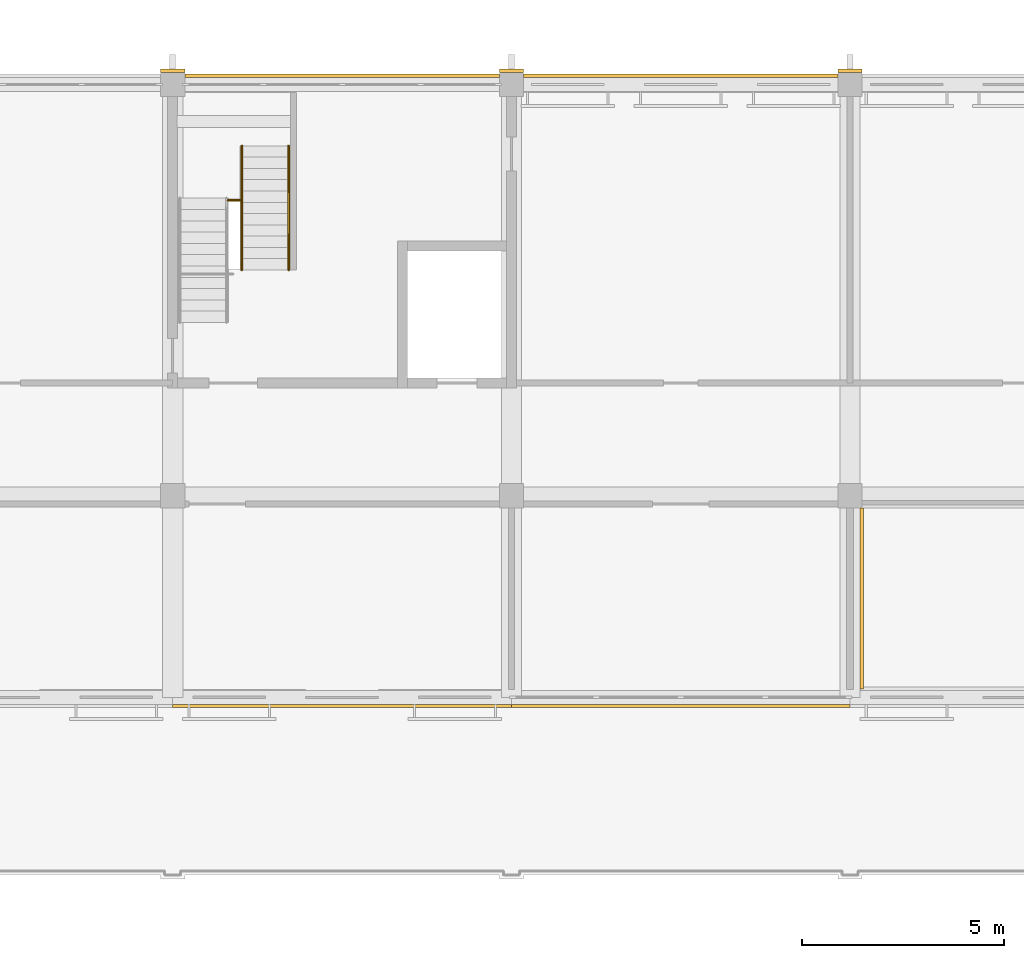
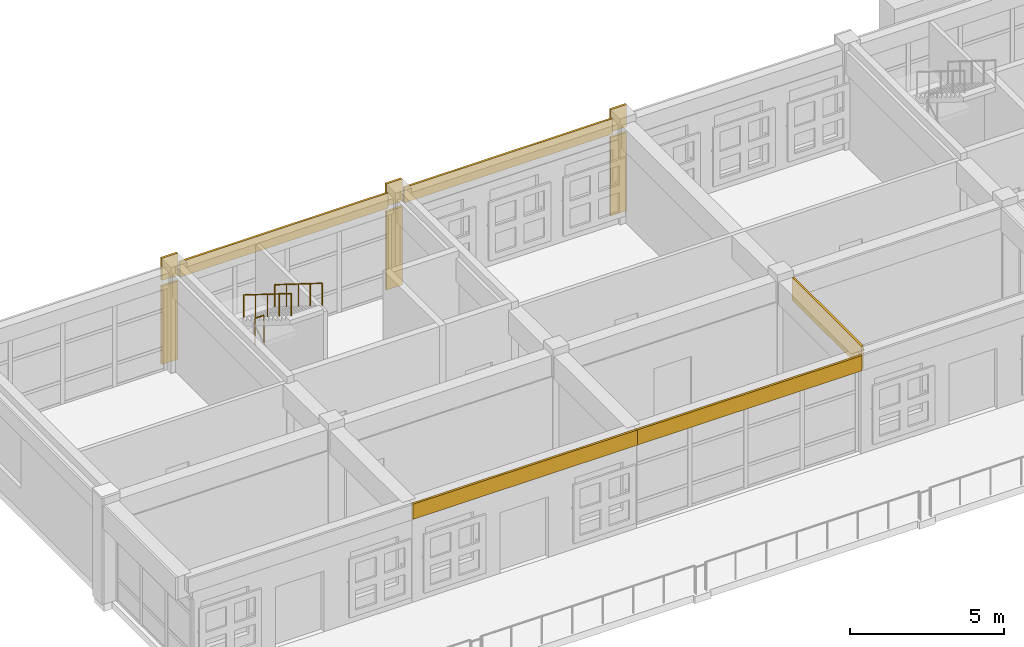
# One storey, part 67 of 71: 11 coverings, 3 railings.
"""IFC4 building model written with IfcOpenShell, lengths in metres."""

import ifcopenshell
import ifcopenshell.guid

model = None  # the IFC model being written
_history = None  # IfcOwnerHistory: only IFC2X3 demands one
_inside = {}  # id of a spatial element -> (the spatial element, [elements in it])
_under = {}  # id of a project, library or spatial element -> (it, [spatial elements below it])
_declared = {}  # id of a project -> (the project, [libraries it declares])
_typed = {}  # id of a type object -> (the type object, [elements of that type])
_made_of = {}  # id of a material, layer set ... -> (it, [elements and type objects made of it])


def new_model(schema):
    """Start an empty IFC model of exactly this schema.

    Asked for "IFC4X3", IfcOpenShell would pick the latest addendum, in which some entities
    have other attributes; the version numbers below select the first issue.
    IFC2X3 requires an IfcOwnerHistory on every rooted entity: one is made here for all.
    """
    global model, _history
    if schema == "IFC4X3":
        model = ifcopenshell.file(schema_version=(4, 3, 0, 0))
    else:
        model = ifcopenshell.file(schema=schema)
    _inside.clear()
    _under.clear()
    _declared.clear()
    _typed.clear()
    _made_of.clear()
    _history = None
    if model.schema == "IFC2X3":
        org = make("IfcOrganization", Name="unknown")
        user = make(
            "IfcPersonAndOrganization",
            ThePerson=make("IfcPerson", FamilyName="unknown"),
            TheOrganization=org,
        )
        app = make(
            "IfcApplication",
            ApplicationDeveloper=org,
            Version="unknown",
            ApplicationFullName="unknown",
            ApplicationIdentifier="unknown",
        )
        _history = make(
            "IfcOwnerHistory",
            OwningUser=user,
            OwningApplication=app,
            ChangeAction="ADDED",
            CreationDate=0,
        )
    return model


def make(cls, **values):
    """One entity of the class cls with the attributes given. An attribute that is None is left unset."""
    return model.create_entity(
        cls, **{name: value for name, value in values.items() if value is not None}
    )


def rooted(cls, **values):
    """An entity with a GlobalId (a new one), such as an element, a storey or a relation."""
    return make(cls, GlobalId=ifcopenshell.guid.new(), OwnerHistory=_history, **values)


def si_unit(unit_type, name, prefix=None):
    """IfcSIUnit, for example si_unit("LENGTHUNIT", "METRE", prefix="MILLI")."""
    return make("IfcSIUnit", UnitType=unit_type, Prefix=prefix, Name=name)


def assignment(units):
    """IfcUnitAssignment: the units of a project."""
    return None if units is None else make("IfcUnitAssignment", Units=units)


def point(xyz):
    """IfcCartesianPoint."""
    return None if xyz is None else make("IfcCartesianPoint", Coordinates=xyz)


def direction(xyz):
    """IfcDirection."""
    return None if xyz is None else make("IfcDirection", DirectionRatios=xyz)


def frame(location, z_axis=None, x_axis=None):
    """IfcAxis2Placement3D, a coordinate frame: its origin and axes. An axis left out is left unset."""
    return make(
        "IfcAxis2Placement3D",
        Location=point(location),
        Axis=direction(z_axis),
        RefDirection=direction(x_axis),
    )


def frame_2d(location, x_axis=None):
    """IfcAxis2Placement2D, a coordinate frame in the plane: its origin and x axis."""
    return make(
        "IfcAxis2Placement2D", Location=point(location), RefDirection=direction(x_axis)
    )


def origin():
    """The frame at (0, 0, 0) with its axes left unset."""
    return frame((0.0, 0.0, 0.0))


def origin_2d():
    """The frame at (0, 0) in the plane with its x axis left unset."""
    return frame_2d((0.0, 0.0))


def place(relative_to, where):
    """IfcLocalPlacement: puts the frame where relative to a parent placement (None: the world)."""
    return make(
        "IfcLocalPlacement", PlacementRelTo=relative_to, RelativePlacement=where
    )


def context(
    kind, dimensions, precision=None, world=None, true_north=None, identifier=None
):
    """IfcGeometricRepresentationContext, for example the 3D "Model" context."""
    return make(
        "IfcGeometricRepresentationContext",
        ContextIdentifier=identifier,
        ContextType=kind,
        CoordinateSpaceDimension=dimensions,
        Precision=precision,
        WorldCoordinateSystem=world,
        TrueNorth=true_north,
    )


def subcontext(parent, identifier, kind, view, scale=None):
    """IfcGeometricRepresentationSubContext, for example "Body" below "Model"."""
    return make(
        "IfcGeometricRepresentationSubContext",
        ContextIdentifier=identifier,
        ContextType=kind,
        ParentContext=parent,
        TargetScale=scale,
        TargetView=view,
    )


def project(units=None, contexts=None):
    """IfcProject with its units and contexts."""
    return rooted(
        "IfcProject",
        Name="project",
        RepresentationContexts=contexts,
        UnitsInContext=assignment(units),
    )


def spatial(cls, under=None, at=None, **own):
    """A site, building, storey or space (cls), placed at a placement, below another one or the project."""
    s = rooted(cls, ObjectPlacement=at, **own)
    if under is not None:
        _under.setdefault(under.id(), (under, []))[1].append(s)
    return s


def polyline(points):
    """IfcPolyline through the points."""
    return make("IfcPolyline", Points=[point(p) for p in points])


def profile(cls, at=None, kind="AREA", **sizes):
    """A parametric profile (cls). Its sizes go by their IFC names, for example OverallWidth=200.0."""
    return make(cls, ProfileType=kind, Position=at, **sizes)


def circle(**sizes):
    """IfcCircleProfileDef."""
    return profile("IfcCircleProfileDef", **sizes)


def outline(outer, holes=None, kind="AREA"):
    """IfcArbitraryClosedProfileDef: a profile drawn as a closed curve; with holes, ...WithVoids."""
    if holes is None:
        return make("IfcArbitraryClosedProfileDef", ProfileType=kind, OuterCurve=outer)
    return make(
        "IfcArbitraryProfileDefWithVoids",
        ProfileType=kind,
        OuterCurve=outer,
        InnerCurves=holes,
    )


def extrude(swept, where, along, depth):
    """IfcExtrudedAreaSolid: the profile swept, set in the frame where, extruded along a direction by depth."""
    return make(
        "IfcExtrudedAreaSolid",
        SweptArea=swept,
        Position=where,
        ExtrudedDirection=direction(along),
        Depth=depth,
    )


def shape(context_of_items, identifier, shape_type, items):
    """IfcShapeRepresentation: the items that make up one representation, for example the "Body"."""
    return make(
        "IfcShapeRepresentation",
        ContextOfItems=context_of_items,
        RepresentationIdentifier=identifier,
        RepresentationType=shape_type,
        Items=items,
    )


def material(Name=None, Category=None):
    """IfcMaterial."""
    return make("IfcMaterial", Name=Name, Category=Category)


def layer(
    of_material, thickness, ventilated=None, Name=None, Category=None, Priority=None
):
    """IfcMaterialLayer: one layer of a wall or slab, of a material (None: an air gap)."""
    return make(
        "IfcMaterialLayer",
        Material=of_material,
        LayerThickness=thickness,
        IsVentilated=ventilated,
        Name=Name,
        Category=Category,
        Priority=Priority,
    )


def layer_set(layers, Name=None):
    """IfcMaterialLayerSet."""
    return make("IfcMaterialLayerSet", MaterialLayers=layers, LayerSetName=Name)


def made_of(thing, what):
    """Note that an element or type object is made of a material, layer set ...; save() writes the relation."""
    if what is not None:
        _made_of.setdefault(what.id(), (what, []))[1].append(thing)
    return thing


def type_object(cls, material=None, **own):
    """A type object (cls), such as IfcWallType, which elements share."""
    return made_of(rooted(cls, **own), material)


def element(
    cls,
    number,
    at=None,
    inside=None,
    cuts=None,
    type_object=None,
    material=None,
    context=None,
    identifier="Body",
    shape_type=None,
    held_by="IfcProductDefinitionShape",
    body=None,
    shapes=None,
    **own,
):
    """One element of the class cls, such as IfcWall. Its Tag is "e" and its number.

    at: its placement. inside: the storey or other place that contains it. cuts: it is an
    opening in that element (IfcRelVoidsElement). A single representation is given by context,
    identifier, shape_type and body (its items); several are given by shapes. held_by: the class
    of the entity that holds the representations. save() writes the other relations.
    """
    e = rooted(cls, Tag="e%d" % number, ObjectPlacement=at, **own)
    if body is not None:
        shapes = [shape(context, identifier, shape_type, body)]
    if shapes is not None:
        e.Representation = make(held_by, Representations=shapes)
    if inside is not None:
        _inside.setdefault(inside.id(), (inside, []))[1].append(e)
    if cuts is not None:
        rooted(
            "IfcRelVoidsElement", RelatingBuildingElement=cuts, RelatedOpeningElement=e
        )
    if type_object is not None:
        _typed.setdefault(type_object.id(), (type_object, []))[1].append(e)
    return made_of(e, material)


def aggregate(whole, parts):
    """IfcRelAggregates: a whole, such as a stair, and the parts it consists of."""
    return rooted("IfcRelAggregates", RelatingObject=whole, RelatedObjects=parts)


def save(model, path):
    """Write the relations noted so far, then the file.

    IfcRelAggregates (storeys below a building ...), IfcRelContainedInSpatialStructure (elements
    in a storey), IfcRelDefinesByType, IfcRelAssociatesMaterial and IfcRelDeclares: one each for
    every whole, place, type object, material and project.
    """
    for whole, parts in _under.values():
        aggregate(whole, parts)
    for where, things in _inside.values():
        rooted(
            "IfcRelContainedInSpatialStructure",
            RelatedElements=things,
            RelatingStructure=where,
        )
    for kind, things in _typed.values():
        rooted("IfcRelDefinesByType", RelatedObjects=things, RelatingType=kind)
    for what, things in _made_of.values():
        rooted("IfcRelAssociatesMaterial", RelatedObjects=things, RelatingMaterial=what)
    for by, libraries in _declared.values():
        rooted("IfcRelDeclares", RelatingContext=by, RelatedDefinitions=libraries)
    model.write(path)


model = new_model("IFC4")

# Units and contexts
model_context = context("Model", 3, precision=1e-05, world=origin(), true_north=direction((0.0, 1.0)))
body_context = subcontext(model_context, "Body", "Model", "MODEL_VIEW")
ifc_project = project(units=[si_unit("LENGTHUNIT", "METRE"), si_unit("AREAUNIT", "SQUARE_METRE"), si_unit("VOLUMEUNIT", "CUBIC_METRE"), si_unit("PLANEANGLEUNIT", "RADIAN"), si_unit("MASSUNIT", "GRAM", prefix="KILO")], contexts=[model_context])

# Site, building, storey
site_placement = place(None, origin())
site = spatial("IfcSite", under=ifc_project, at=site_placement, CompositionType="ELEMENT")
building_placement = place(site_placement, origin())
building = spatial("IfcBuilding", under=site, at=building_placement, Name="Wasatch Bagh Community Centre", CompositionType="ELEMENT")
storey_placement = place(building_placement, frame((0.0, 0.0, 12.60009765625)))
storey = spatial("IfcBuildingStorey", under=building, at=storey_placement, Name="L03", CompositionType="ELEMENT", Elevation=12.60009765625)

# Coverings
ifc_material_1 = material(Name="Cast stone cladding", Category="masonry")
ifc_layer_1 = layer(ifc_material_1, 0.080078125)
ifc_layer_set_1 = layer_set([ifc_layer_1], Name="Cast stone cladding")
covering_type_1 = type_object("IfcCoveringType", Name="CL-B7 beam facing", PredefinedType="CLADDING", material=ifc_layer_set_1)
covering_1_placement = place(storey_placement, frame((0.0, 0.0, 3.31982421875)))
element("IfcCovering", 1, at=covering_1_placement, inside=storey, type_object=covering_type_1, Name="Beam facing", PredefinedType="CLADDING", context=body_context, shape_type="SweptSolid", body=[
    extrude(outline(polyline([(81.10009765625, 97.97509765625), (88.89990234375, 97.97509765625), (88.89990234375, 98.054931640625), (81.10009765625, 98.054931640625), (81.10009765625, 97.97509765625)])), origin(), (0.0, 0.0, 1.0), 0.60009765625),
])
covering_2_placement = place(storey_placement, frame((0.0, 0.0, 3.31982421875)))
element("IfcCovering", 2, at=covering_2_placement, inside=storey, type_object=covering_type_1, Name="Beam facing", PredefinedType="CLADDING", context=body_context, shape_type="SweptSolid", body=[
    extrude(outline(polyline([(89.5, 97.97509765625), (97.300048828125, 97.97509765625), (97.300048828125, 98.054931640625), (89.5, 98.054931640625), (89.5, 97.97509765625)])), origin(), (0.0, 0.0, 1.0), 0.60009765625),
])
covering_3_placement = place(storey_placement, frame((0.0, 0.0, 3.02001953125)))
element("IfcCovering", 3, at=covering_3_placement, inside=storey, type_object=covering_type_1, Name="Beam facing", PredefinedType="CLADDING", context=body_context, shape_type="SweptSolid", body=[
    extrude(outline(polyline([(97.85009765625, 87.300048828125), (97.85009765625, 82.81005859375), (97.929931640625, 82.81005859375), (97.929931640625, 87.300048828125), (97.85009765625, 87.300048828125)])), origin(), (0.0, 0.0, 1.0), 0.89990234375),
])
covering_4_placement = place(storey_placement, frame((0.0, 0.0, 3.31982421875)))
element("IfcCovering", 4, at=covering_4_placement, inside=storey, type_object=covering_type_1, Name="Beam facing", PredefinedType="CLADDING", context=body_context, shape_type="SweptSolid", body=[
    extrude(outline(polyline([(80.800048828125, 82.425048828125), (89.199951171875, 82.425048828125), (89.199951171875, 82.344970703125), (80.800048828125, 82.344970703125), (80.800048828125, 82.425048828125)])), origin(), (0.0, 0.0, 1.0), 0.60009765625),
])
covering_5_placement = place(storey_placement, frame((0.0, 0.0, 3.31982421875)))
element("IfcCovering", 5, at=covering_5_placement, inside=storey, type_object=covering_type_1, Name="Beam facing", PredefinedType="CLADDING", context=body_context, shape_type="SweptSolid", body=[
    extrude(outline(polyline([(89.199951171875, 82.425048828125), (97.60009765625, 82.425048828125), (97.60009765625, 82.344970703125), (89.199951171875, 82.344970703125), (89.199951171875, 82.425048828125)])), origin(), (0.0, 0.0, 1.0), 0.60009765625),
])
ifc_layer_2 = layer(ifc_material_1, 0.080078125)
ifc_layer_set_2 = layer_set([ifc_layer_2], Name="Cast stone cladding")
covering_type_2 = type_object("IfcCoveringType", Name="CL-C1 column facing", PredefinedType="CLADDING", material=ifc_layer_set_2)
covering_6_placement = place(storey_placement, origin())
element("IfcCovering", 6, at=covering_6_placement, inside=storey, type_object=covering_type_2, Name="Column facing", PredefinedType="CLADDING", context=body_context, shape_type="SweptSolid", body=[
    extrude(outline(polyline([(81.10009765625, 98.10009765625), (80.5, 98.10009765625), (80.5, 98.179931640625), (81.10009765625, 98.179931640625), (81.10009765625, 98.10009765625)])), origin(), (0.0, 0.0, 1.0), 3.099853515625),
])
covering_7_placement = place(storey_placement, frame((0.0, 0.0, 3.31982421875)))
element("IfcCovering", 7, at=covering_7_placement, inside=storey, type_object=covering_type_2, Name="Column facing", PredefinedType="CLADDING", context=body_context, shape_type="SweptSolid", body=[
    extrude(outline(polyline([(81.10009765625, 98.10009765625), (80.5, 98.10009765625), (80.5, 98.179931640625), (81.10009765625, 98.179931640625), (81.10009765625, 98.10009765625)])), origin(), (0.0, 0.0, 1.0), 0.880126953125),
])
covering_8_placement = place(storey_placement, origin())
element("IfcCovering", 8, at=covering_8_placement, inside=storey, type_object=covering_type_2, Name="Column facing", PredefinedType="CLADDING", context=body_context, shape_type="SweptSolid", body=[
    extrude(outline(polyline([(89.5, 98.10009765625), (88.89990234375, 98.10009765625), (88.89990234375, 98.179931640625), (89.5, 98.179931640625), (89.5, 98.10009765625)])), origin(), (0.0, 0.0, 1.0), 3.099853515625),
])
covering_9_placement = place(storey_placement, frame((0.0, 0.0, 3.31982421875)))
element("IfcCovering", 9, at=covering_9_placement, inside=storey, type_object=covering_type_2, Name="Column facing", PredefinedType="CLADDING", context=body_context, shape_type="SweptSolid", body=[
    extrude(outline(polyline([(89.5, 98.10009765625), (88.89990234375, 98.10009765625), (88.89990234375, 98.179931640625), (89.5, 98.179931640625), (89.5, 98.10009765625)])), origin(), (0.0, 0.0, 1.0), 0.880126953125),
])
covering_10_placement = place(storey_placement, origin())
element("IfcCovering", 10, at=covering_10_placement, inside=storey, type_object=covering_type_2, Name="Column facing", PredefinedType="CLADDING", context=body_context, shape_type="SweptSolid", body=[
    extrude(outline(polyline([(97.89990234375, 98.10009765625), (97.300048828125, 98.10009765625), (97.300048828125, 98.179931640625), (97.89990234375, 98.179931640625), (97.89990234375, 98.10009765625)])), origin(), (0.0, 0.0, 1.0), 3.099853515625),
])
covering_11_placement = place(storey_placement, frame((0.0, 0.0, 3.31982421875)))
element("IfcCovering", 11, at=covering_11_placement, inside=storey, type_object=covering_type_2, Name="Column facing", PredefinedType="CLADDING", context=body_context, shape_type="SweptSolid", body=[
    extrude(outline(polyline([(97.89990234375, 98.10009765625), (97.300048828125, 98.10009765625), (97.300048828125, 98.179931640625), (97.89990234375, 98.179931640625), (97.89990234375, 98.10009765625)])), origin(), (0.0, 0.0, 1.0), 0.880126953125),
])

# Railings
ifc_material_2 = material(Name="Painted steel with jali infill", Category="steel")
railing_type_1 = type_object("IfcRailingType", Name="LW guard 1100", PredefinedType="GUARDRAIL", material=ifc_material_2)
railing_placement = place(storey_placement, frame((82.159912109375, 94.929931640625, 2.099853515625)))
element("IfcRailing", 12, at=railing_placement, inside=storey, type_object=railing_type_1, Name="Guard C1", PredefinedType="GUARDRAIL", context=body_context, shape_type="SweptSolid", body=[
    extrude(circle(Radius=0.02490234375, at=origin_2d()), frame((0.0, 0.0, 1.0751953125), z_axis=(1.0, 0.0, 0.0), x_axis=(0.0, 1.0, 0.0)), (0.0, 0.0, 1.0), 0.330078125),
    extrude(circle(Radius=0.02001953125, at=origin_2d()), origin(), (0.0, 0.0, 1.0), 1.050048828125),
    extrude(circle(Radius=0.02001953125, at=origin_2d()), frame((0.330078125, 0.0, 0.0)), (0.0, 0.0, 1.0), 1.050048828125),
])
ifc_material_3 = material(Name="Painted steel tube", Category="steel")
railing_type_2 = type_object("IfcRailingType", Name="LW stair handrail 900", PredefinedType="HANDRAIL", material=ifc_material_3)
for number, where, name in (
    (13, (82.514892578125, 96.280029296875, 2.27490234375), "Handrail C1"),
    (14, (83.675048828125, 96.280029296875, 2.27490234375), "Handrail C1"),
):
    element("IfcRailing", number, at=place(storey_placement, frame(where)), inside=storey, type_object=railing_type_2, Name=name, PredefinedType="HANDRAIL", context=body_context, shape_type="SweptSolid", body=[
        extrude(circle(Radius=0.0224609375, at=origin_2d()), frame((0.0, 0.0, 0.87744140625), z_axis=(0.0, -0.847998304005, 0.529998940003), x_axis=(1.0, 0.0, 0.0)), (0.0, 0.0, 1.0), 3.632080078125),
        extrude(circle(Radius=0.02001953125, at=origin_2d()), origin(), (0.0, 0.0, 1.0), 0.85498046875),
        extrude(circle(Radius=0.02001953125, at=origin_2d()), frame((0.0, -0.77001953125, 0.481201171875)), (0.0, 0.0, 1.0), 0.85498046875),
        extrude(circle(Radius=0.02001953125, at=origin_2d()), frame((0.0, -1.5400390625, 0.96240234375)), (0.0, 0.0, 1.0), 0.85498046875),
        extrude(circle(Radius=0.02001953125, at=origin_2d()), frame((0.0, -2.31005859375, 1.44384765625)), (0.0, 0.0, 1.0), 0.85498046875),
        extrude(circle(Radius=0.02001953125, at=origin_2d()), frame((0.0, -3.080078125, 1.925048828125)), (0.0, 0.0, 1.0), 0.85498046875),
    ])

save(model, "model.ifc")
